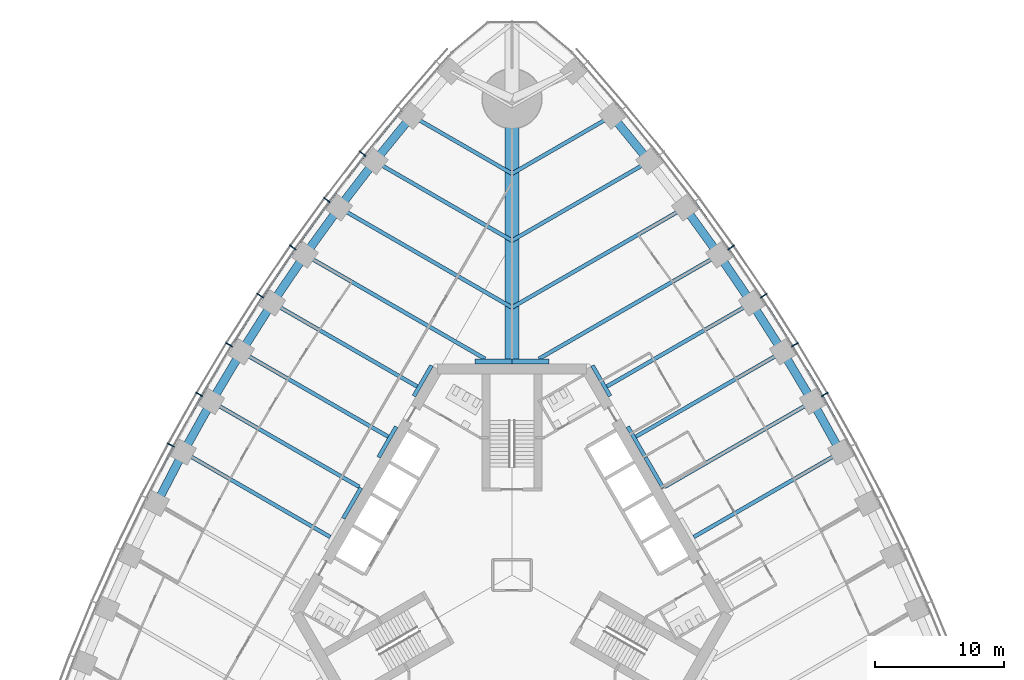
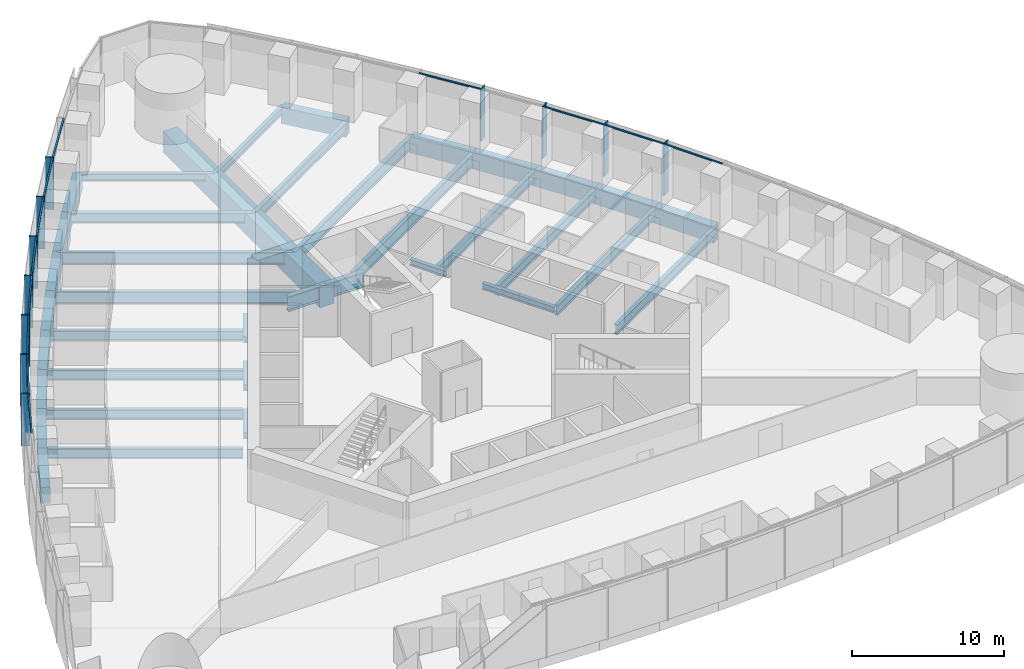
# One storey, part 4 of 18: 39 beams, 23 members, 2 elements without a shape of their own.
"""IFC4 building model written with IfcOpenShell, lengths in metres."""

from ifc_helpers import new_model, si_unit, direction, frame, origin, origin_2d, place, context, subcontext, project, spatial, rectangle, i_section, extrude, material, material_profile, profile_set, type_object, element, aggregate, save


model = new_model("IFC4")

# Units and contexts
model_context = context("Model", 3, precision=1e-05, world=origin(), true_north=direction((0.0, 1.0)))
body_context = subcontext(model_context, "Body", "Model", "MODEL_VIEW")
ifc_project = project(units=[si_unit("LENGTHUNIT", "METRE"), si_unit("AREAUNIT", "SQUARE_METRE"), si_unit("VOLUMEUNIT", "CUBIC_METRE"), si_unit("PLANEANGLEUNIT", "RADIAN"), si_unit("MASSUNIT", "GRAM", prefix="KILO")], contexts=[model_context])

# Site, building, storey
site_placement = place(None, origin())
site = spatial("IfcSite", under=ifc_project, at=site_placement, CompositionType="ELEMENT")
building_placement = place(site_placement, origin())
building = spatial("IfcBuilding", under=site, at=building_placement, Name="Trefoil Bronze Tower", CompositionType="ELEMENT")
storey_placement = place(building_placement, frame((0.0, 0.0, 54.300048828125)))
storey = spatial("IfcBuildingStorey", under=building, at=storey_placement, Name="L12", CompositionType="ELEMENT", Elevation=54.300048828125)

# Curtain wall, members
ifc_material_1 = material(Name="Tinted solar-control glass", Category="glass")
curtain_wall_type = type_object("IfcCurtainWallType", Name="Bronze office curtain wall", PredefinedType="USERDEFINED", material=ifc_material_1)
curtain_wall_1_placement = place(storey_placement, origin())
curtain_wall_1 = element("IfcCurtainWall", 1, at=curtain_wall_1_placement, inside=storey, type_object=curtain_wall_type, Name="CW-A L12 F2", ObjectType="CURTAIN WALL", PredefinedType="USERDEFINED")
ifc_material_2 = material(Name="Bronze-finish aluminium", Category="aluminium")
ifc_material_profile_1 = material_profile(ifc_material_2, rectangle(XDim=0.60009765625, YDim=0.080078125, at=origin_2d()), Name="CW-A mullion")
ifc_profile_set_1 = profile_set([ifc_material_profile_1], Name="Bronze-finish aluminium")
member_type_1 = type_object("IfcMemberType", Name="Bronze office curtain wall mullion", PredefinedType="MULLION", material=ifc_profile_set_1)
member_1_placement = place(storey_placement, frame((24.291015625, 14.0244140625, 0.0), z_axis=(0.0, 0.0, 1.0), x_axis=(-0.866025403784, -0.5, 0.0)))
member_1 = element("IfcMember", 2, at=member_1_placement, type_object=member_type_1, Name="CW-A L12 F2 mullion 9", PredefinedType="MULLION", context=body_context, shape_type="SweptSolid", body=[
    extrude(rectangle(XDim=0.60009765625, YDim=0.080078125, at=origin_2d()), origin(), (0.0, 0.0, 1.0), 4.179931640625),
])
member_2_placement = place(storey_placement, frame((21.97998046875, 17.896240234375, 0.0), z_axis=(0.0, 0.0, 1.0), x_axis=(-0.851149783004, -0.524922896141, 0.0)))
member_2 = element("IfcMember", 3, at=member_2_placement, type_object=member_type_1, Name="CW-A L12 F2 mullion 10", PredefinedType="MULLION", context=body_context, shape_type="SweptSolid", body=[
    extrude(rectangle(XDim=0.60009765625, YDim=0.080078125, at=origin_2d()), origin(), (0.0, 0.0, 1.0), 4.179931640625),
])
member_3_placement = place(storey_placement, frame((19.555419921875, 21.70263671875, 0.0), z_axis=(0.0, 0.0, 1.0), x_axis=(-0.835543651684, -0.549424067665, 0.0)))
member_3 = element("IfcMember", 4, at=member_3_placement, type_object=member_type_1, Name="CW-A L12 F2 mullion 11", PredefinedType="MULLION", context=body_context, shape_type="SweptSolid", body=[
    extrude(rectangle(XDim=0.60009765625, YDim=0.080078125, at=origin_2d()), origin(), (0.0, 0.0, 1.0), 4.179931640625),
])
member_4_placement = place(storey_placement, frame((17.01708984375, 25.443359375, 0.0), z_axis=(0.0, 0.0, 1.0), x_axis=(-0.819204207116, -0.573501932903, 0.0)))
member_4 = element("IfcMember", 5, at=member_4_placement, type_object=member_type_1, Name="CW-A L12 F2 mullion 12", PredefinedType="MULLION", context=body_context, shape_type="SweptSolid", body=[
    extrude(rectangle(XDim=0.60009765625, YDim=0.080078125, at=origin_2d()), origin(), (0.0, 0.0, 1.0), 4.179931640625),
])

curtain_wall_2_placement = place(storey_placement, origin())
curtain_wall_2 = element("IfcCurtainWall", 6, at=curtain_wall_2_placement, inside=storey, type_object=curtain_wall_type, Name="CW-A L12 F3", ObjectType="CURTAIN WALL", PredefinedType="USERDEFINED")
member_5_placement = place(storey_placement, frame((-11.595458984375, 32.7255859375, 0.0), z_axis=(0.0, 0.0, 1.0), x_axis=(0.784304615744, -0.620375910011, 0.0)))
member_5 = element("IfcMember", 7, at=member_5_placement, type_object=member_type_1, Name="CW-A L12 F3 mullion 4", PredefinedType="MULLION", context=body_context, shape_type="SweptSolid", body=[
    extrude(rectangle(XDim=0.60009765625, YDim=0.080078125, at=origin_2d()), origin(), (0.0, 0.0, 1.0), 4.179931640625),
])
member_6_placement = place(storey_placement, frame((-14.364013671875, 29.117919921875, 0.0), z_axis=(0.0, 0.0, 1.0), x_axis=(0.802126748469, -0.59715381552, 0.0)))
member_6 = element("IfcMember", 8, at=member_6_placement, type_object=member_type_1, Name="CW-A L12 F3 mullion 5", PredefinedType="MULLION", context=body_context, shape_type="SweptSolid", body=[
    extrude(rectangle(XDim=0.60009765625, YDim=0.080078125, at=origin_2d()), origin(), (0.0, 0.0, 1.0), 4.179931640625),
])
member_7_placement = place(storey_placement, frame((-17.01708984375, 25.443359375, 0.0), z_axis=(0.0, 0.0, 1.0), x_axis=(0.819204207116, -0.573501932903, 0.0)))
member_7 = element("IfcMember", 9, at=member_7_placement, type_object=member_type_1, Name="CW-A L12 F3 mullion 6", PredefinedType="MULLION", context=body_context, shape_type="SweptSolid", body=[
    extrude(rectangle(XDim=0.60009765625, YDim=0.080078125, at=origin_2d()), origin(), (0.0, 0.0, 1.0), 4.179931640625),
])
member_8_placement = place(storey_placement, frame((-19.555419921875, 21.70263671875, 0.0), z_axis=(0.0, 0.0, 1.0), x_axis=(0.835543651684, -0.549424067665, 0.0)))
member_8 = element("IfcMember", 10, at=member_8_placement, type_object=member_type_1, Name="CW-A L12 F3 mullion 7", PredefinedType="MULLION", context=body_context, shape_type="SweptSolid", body=[
    extrude(rectangle(XDim=0.60009765625, YDim=0.080078125, at=origin_2d()), origin(), (0.0, 0.0, 1.0), 4.179931640625),
])
member_9_placement = place(storey_placement, frame((-21.97998046875, 17.896240234375, 0.0), z_axis=(0.0, 0.0, 1.0), x_axis=(0.851149783004, -0.524922896141, 0.0)))
member_9 = element("IfcMember", 11, at=member_9_placement, type_object=member_type_1, Name="CW-A L12 F3 mullion 8", PredefinedType="MULLION", context=body_context, shape_type="SweptSolid", body=[
    extrude(rectangle(XDim=0.60009765625, YDim=0.080078125, at=origin_2d()), origin(), (0.0, 0.0, 1.0), 4.179931640625),
])
member_10_placement = place(storey_placement, frame((-24.291015625, 14.0244140625, 0.0), z_axis=(0.0, 0.0, 1.0), x_axis=(0.866025403784, -0.5, 0.0)))
member_10 = element("IfcMember", 12, at=member_10_placement, type_object=member_type_1, Name="CW-A L12 F3 mullion 9", PredefinedType="MULLION", context=body_context, shape_type="SweptSolid", body=[
    extrude(rectangle(XDim=0.60009765625, YDim=0.080078125, at=origin_2d()), origin(), (0.0, 0.0, 1.0), 4.179931640625),
])
member_11_placement = place(storey_placement, frame((-26.488525390625, 10.0869140625, 0.0), z_axis=(0.0, 0.0, 1.0), x_axis=(0.880171454588, -0.474655886437, 0.0)))
member_11 = element("IfcMember", 13, at=member_11_placement, type_object=member_type_1, Name="CW-A L12 F3 mullion 10", PredefinedType="MULLION", context=body_context, shape_type="SweptSolid", body=[
    extrude(rectangle(XDim=0.60009765625, YDim=0.080078125, at=origin_2d()), origin(), (0.0, 0.0, 1.0), 4.179931640625),
])

# Member
ifc_material_3 = material(Name="Bronze-finish aluminium", Category="aluminium")
ifc_material_profile_2 = material_profile(ifc_material_3, rectangle(XDim=0.1201171875, YDim=0.10009765625, at=origin_2d()), Name="CW-A transom")
ifc_profile_set_2 = profile_set([ifc_material_profile_2], Name="Bronze-finish aluminium")
member_type_2 = type_object("IfcMemberType", Name="Bronze office curtain wall transom", PredefinedType="USERDEFINED", material=ifc_profile_set_2)
member_12_placement = place(storey_placement, frame((26.29248046875, 10.0283203125, 4.1298828125), z_axis=(-0.487400435348, 0.873178570295, 0.0), x_axis=(-0.873178570295, -0.487400435348, 0.0)))
member_12 = element("IfcMember", 14, at=member_12_placement, type_object=member_type_2, Name="CW-A L12 F2 transom 8", ObjectType="TRANSOM", PredefinedType="USERDEFINED", context=body_context, shape_type="SweptSolid", body=[
    extrude(rectangle(XDim=0.1201171875, YDim=0.10009765625, at=origin_2d()), origin(), (0.0, 0.0, 1.0), 4.42041015625),
])

member_13_placement = place(storey_placement, frame((24.096435546875, 13.9599609375, 4.1298828125), z_axis=(-0.512536988879, 0.858665147209, 0.0), x_axis=(-0.858665147209, -0.512536988879, 0.0)))
member_13 = element("IfcMember", 15, at=member_13_placement, type_object=member_type_2, Name="CW-A L12 F2 transom 9", ObjectType="TRANSOM", PredefinedType="USERDEFINED", context=body_context, shape_type="SweptSolid", body=[
    extrude(rectangle(XDim=0.1201171875, YDim=0.10009765625, at=origin_2d()), origin(), (0.0, 0.0, 1.0), 4.42041015625),
])

member_14_placement = place(storey_placement, frame((21.787353515625, 17.826171875, 4.1298828125), z_axis=(-0.537196807268, 0.843456928515, 0.0), x_axis=(-0.843456928515, -0.537196807268, 0.0)))
member_14 = element("IfcMember", 16, at=member_14_placement, type_object=member_type_2, Name="CW-A L12 F2 transom 10", ObjectType="TRANSOM", PredefinedType="USERDEFINED", context=body_context, shape_type="SweptSolid", body=[
    extrude(rectangle(XDim=0.1201171875, YDim=0.10009765625, at=origin_2d()), origin(), (0.0, 0.0, 1.0), 4.42431640625),
])

member_15_placement = place(storey_placement, frame((16.828857421875, 25.3623046875, 4.1298828125), z_axis=(-0.585378207433, 0.81076035563, 0.0), x_axis=(-0.81076035563, -0.585378207433, 0.0)))
member_15 = element("IfcMember", 17, at=member_15_placement, type_object=member_type_2, Name="CW-A L12 F2 transom 12", ObjectType="TRANSOM", PredefinedType="USERDEFINED", context=body_context, shape_type="SweptSolid", body=[
    extrude(rectangle(XDim=0.1201171875, YDim=0.10009765625, at=origin_2d()), origin(), (0.0, 0.0, 1.0), 4.443359375),
])

aggregate(curtain_wall_1, [member_1, member_2, member_3, member_4, member_12, member_13, member_14, member_15])

member_16_placement = place(storey_placement, frame((-8.582763671875, 36.10498046875, 4.1298828125), z_axis=(-0.631835540201, -0.775102477185, 0.0), x_axis=(0.775102477185, -0.631835540201, 0.0)))
member_16 = element("IfcMember", 18, at=member_16_placement, type_object=member_type_2, Name="CW-A L12 F3 transom 3", ObjectType="TRANSOM", PredefinedType="USERDEFINED", context=body_context, shape_type="SweptSolid", body=[
    extrude(rectangle(XDim=0.1201171875, YDim=0.10009765625, at=origin_2d()), origin(), (0.0, 0.0, 1.0), 4.478271484375),
])

member_17_placement = place(storey_placement, frame((-11.4638671875, 32.568603515625, 4.1298828125), z_axis=(-0.608829203216, -0.793301330713, 0.0), x_axis=(0.793301330713, -0.608829203216, 0.0)))
member_17 = element("IfcMember", 19, at=member_17_placement, type_object=member_type_2, Name="CW-A L12 F3 transom 4", ObjectType="TRANSOM", PredefinedType="USERDEFINED", context=body_context, shape_type="SweptSolid", body=[
    extrude(rectangle(XDim=0.1201171875, YDim=0.10009765625, at=origin_2d()), origin(), (0.0, 0.0, 1.0), 4.458740234375),
])

member_18_placement = place(storey_placement, frame((-14.227783203125, 28.96484375, 4.1298828125), z_axis=(-0.585378207433, -0.81076035563, 0.0), x_axis=(0.81076035563, -0.585378207433, 0.0)))
member_18 = element("IfcMember", 20, at=member_18_placement, type_object=member_type_2, Name="CW-A L12 F3 transom 5", ObjectType="TRANSOM", PredefinedType="USERDEFINED", context=body_context, shape_type="SweptSolid", body=[
    extrude(rectangle(XDim=0.1201171875, YDim=0.10009765625, at=origin_2d()), origin(), (0.0, 0.0, 1.0), 4.443359375),
])

member_19_placement = place(storey_placement, frame((-16.87646484375, 25.29443359375, 4.1298828125), z_axis=(-0.561508153923, -0.827471203775, 0.0), x_axis=(0.827471203775, -0.561508153923, 0.0)))
member_19 = element("IfcMember", 21, at=member_19_placement, type_object=member_type_2, Name="CW-A L12 F3 transom 6", ObjectType="TRANSOM", PredefinedType="USERDEFINED", context=body_context, shape_type="SweptSolid", body=[
    extrude(rectangle(XDim=0.1201171875, YDim=0.10009765625, at=origin_2d()), origin(), (0.0, 0.0, 1.0), 4.431884765625),
])

member_20_placement = place(storey_placement, frame((-19.41064453125, 21.557861328125, 4.1298828125), z_axis=(-0.537196807268, -0.843456928515, 0.0), x_axis=(0.843456928515, -0.537196807268, 0.0)))
member_20 = element("IfcMember", 22, at=member_20_placement, type_object=member_type_2, Name="CW-A L12 F3 transom 7", ObjectType="TRANSOM", PredefinedType="USERDEFINED", context=body_context, shape_type="SweptSolid", body=[
    extrude(rectangle(XDim=0.1201171875, YDim=0.10009765625, at=origin_2d()), origin(), (0.0, 0.0, 1.0), 4.42431640625),
])

member_21_placement = place(storey_placement, frame((-21.830810546875, 17.755615234375, 4.1298828125), z_axis=(-0.512536988879, -0.858665147209, 0.0), x_axis=(0.858665147209, -0.512536988879, 0.0)))
member_21 = element("IfcMember", 23, at=member_21_placement, type_object=member_type_2, Name="CW-A L12 F3 transom 8", ObjectType="TRANSOM", PredefinedType="USERDEFINED", context=body_context, shape_type="SweptSolid", body=[
    extrude(rectangle(XDim=0.1201171875, YDim=0.10009765625, at=origin_2d()), origin(), (0.0, 0.0, 1.0), 4.42041015625),
])

member_22_placement = place(storey_placement, frame((-24.137939453125, 13.88818359375, 4.1298828125), z_axis=(-0.487400435348, -0.873178570295, 0.0), x_axis=(0.873178570295, -0.487400435348, 0.0)))
member_22 = element("IfcMember", 24, at=member_22_placement, type_object=member_type_2, Name="CW-A L12 F3 transom 9", ObjectType="TRANSOM", PredefinedType="USERDEFINED", context=body_context, shape_type="SweptSolid", body=[
    extrude(rectangle(XDim=0.1201171875, YDim=0.10009765625, at=origin_2d()), origin(), (0.0, 0.0, 1.0), 4.42041015625),
])

member_23_placement = place(storey_placement, frame((-26.331787109375, 9.955322265625, 4.1298828125), z_axis=(-0.461809621225, -0.886979071762, 0.0), x_axis=(0.886979071762, -0.461809621225, 0.0)))
member_23 = element("IfcMember", 25, at=member_23_placement, type_object=member_type_2, Name="CW-A L12 F3 transom 10", ObjectType="TRANSOM", PredefinedType="USERDEFINED", context=body_context, shape_type="SweptSolid", body=[
    extrude(rectangle(XDim=0.1201171875, YDim=0.10009765625, at=origin_2d()), origin(), (0.0, 0.0, 1.0), 4.42431640625),
])

aggregate(curtain_wall_2, [member_5, member_6, member_7, member_8, member_9, member_10, member_11, member_16, member_17, member_18, member_19, member_20, member_21, member_22, member_23])

# Beams
ifc_material_4 = material(Name="Steel C355", Category="steel")
ifc_material_profile_3 = material_profile(ifc_material_4, i_section(OverallWidth=0.300048828125, OverallDepth=0.5, WebThickness=0.014404296875, FlangeThickness=0.028076171875, FilletRadius=0.027099609375, at=origin_2d()), Name="HEB 500")
ifc_profile_set_3 = profile_set([ifc_material_profile_3], Name="Steel C355")
beam_type_1 = type_object("IfcBeamType", Name="Core seat beam HEB 500", PredefinedType="BEAM", material=ifc_profile_set_3)
for number, where, z_axis, x_axis, name in (
    (26, (11.734619140625, 6.77490234375, -0.449951171875), (-0.499969057507, 0.866043267704, 0.0), (-0.866043267704, -0.499969057507, 0.0), "Core seat beam F2/+0 L12"),
    (27, (10.363525390625, 9.14990234375, -0.449951171875), (-0.500035825175, 0.866004719122, 0.0), (-0.866004719122, -0.500035825175, 0.0), "Core seat beam F2/+1 L12"),
    (28, (7.62109375, 13.89990234375, -0.449951171875), (-0.500035825175, 0.866004719122, 0.0), (-0.866004719122, -0.500035825175, 0.0), "Core seat beam F2/+2 L12"),
    (29, (-6.249755859375, 16.27490234375, -0.449951171875), (-0.500035825175, -0.866004719122, 0.0), (0.866004719122, -0.500035825175, 0.0), "Core seat beam F3/-2 L12"),
    (30, (-8.9921875, 11.52490234375, -0.449951171875), (-0.500035825175, -0.866004719122, 0.0), (0.866004719122, -0.500035825175, 0.0), "Core seat beam F3/-1 L12"),
    (31, (-11.734619140625, 6.77490234375, -0.449951171875), (-0.500035825175, -0.866004719122, 0.0), (0.866004719122, -0.500035825175, 0.0), "Core seat beam F3/+0 L12"),
):
    element("IfcBeam", number, at=place(storey_placement, frame(where, z_axis=z_axis, x_axis=x_axis)), inside=storey, type_object=beam_type_1, Name=name, PredefinedType="BEAM", context=body_context, shape_type="SweptSolid", body=[
        extrude(i_section(OverallWidth=0.300048828125, OverallDepth=0.5, WebThickness=0.014404296875, FlangeThickness=0.028076171875, FilletRadius=0.027099609375, at=origin_2d()), origin(), (0.0, 0.0, 1.0), 2.742431640625),
    ])
ifc_material_5 = material(Name="Steel C355", Category="steel")
ifc_material_profile_4 = material_profile(ifc_material_5, i_section(OverallWidth=0.39990234375, OverallDepth=1.199951171875, WebThickness=0.02001953125, FlangeThickness=0.0400390625, FilletRadius=0.010009765625, at=origin_2d()), Name="WPG 1200")
ifc_profile_set_4 = profile_set([ifc_material_profile_4], Name="Steel C355")
beam_type_2 = type_object("IfcBeamType", Name="Core seat beam WPG 1200", PredefinedType="BEAM", material=ifc_profile_set_4)
for number, where, z_axis, x_axis, name in (
    (32, (2.88671875, 16.60009765625, -0.800048828125), (-1.0, 0.0, 0.0), (0.0, -1.0, 0.0), "Core seat beam F2/+3 L12"),
    (33, (0.0, 16.60009765625, -0.800048828125), (-1.0, 0.0, 0.0), (0.0, -1.0, 0.0), "Core seat beam F3/-3 L12"),
):
    element("IfcBeam", number, at=place(storey_placement, frame(where, z_axis=z_axis, x_axis=x_axis)), inside=storey, type_object=beam_type_2, Name=name, PredefinedType="BEAM", context=body_context, shape_type="SweptSolid", body=[
        extrude(i_section(OverallWidth=0.39990234375, OverallDepth=1.199951171875, WebThickness=0.02001953125, FlangeThickness=0.0400390625, FilletRadius=0.010009765625, at=origin_2d()), origin(), (0.0, 0.0, 1.0), 2.88671875),
    ])
ifc_material_6 = material(Name="Concrete B80", Category="concrete")
ifc_material_profile_5 = material_profile(ifc_material_6, rectangle(XDim=1.10009765625, YDim=1.699951171875, at=origin_2d()), Name="RC 1100x1700")
ifc_profile_set_5 = profile_set([ifc_material_profile_5], Name="Concrete B80")
beam_type_3 = type_object("IfcBeamType", Name="Corner girder RC 1100x1700", PredefinedType="BEAM", material=ifc_profile_set_5)
beam_1_placement = place(storey_placement, frame((0.0, 16.39990234375, -1.050048828125), z_axis=(0.0, 1.0, 0.0), x_axis=(-1.0, 0.0, 0.0)))
element("IfcBeam", 34, at=beam_1_placement, inside=storey, type_object=beam_type_3, Name="Corner girder K2 L12", PredefinedType="BEAM", context=body_context, shape_type="SweptSolid", body=[
    extrude(rectangle(XDim=1.10009765625, YDim=1.699951171875, at=origin_2d()), origin(), (0.0, 0.0, 1.0), 20.60009765625),
])
ifc_material_7 = material(Name="Steel C355", Category="steel")
ifc_material_profile_6 = material_profile(ifc_material_7, i_section(OverallWidth=0.300048828125, OverallDepth=0.590087890625, WebThickness=0.012939453125, FlangeThickness=0.02490234375, FilletRadius=0.027099609375, at=origin_2d()), Name="HEA 600")
ifc_profile_set_6 = profile_set([ifc_material_profile_6], Name="Steel C355")
beam_type_4 = type_object("IfcBeamType", Name="Floor beam HEA 600", PredefinedType="BEAM", material=ifc_profile_set_6)
for number, where, z_axis, x_axis, name in (
    (35, (7.7763671875, 35.666748046875, -0.4951171875), (-0.866022587327, -0.500004878216, 0.0), (0.500004878216, -0.866022587327, 0.0), "Floor beam F2/+6 L12"),
    (36, (-7.7763671875, 35.666748046875, -0.4951171875), (0.866022587327, -0.500004878216, 0.0), (0.500004878216, 0.866022587327, 0.0), "Floor beam F3/-6 L12"),
):
    element("IfcBeam", number, at=place(storey_placement, frame(where, z_axis=z_axis, x_axis=x_axis)), inside=storey, type_object=beam_type_4, Name=name, PredefinedType="BEAM", context=body_context, shape_type="SweptSolid", body=[
        extrude(i_section(OverallWidth=0.300048828125, OverallDepth=0.590087890625, WebThickness=0.012939453125, FlangeThickness=0.02490234375, FilletRadius=0.027099609375, at=origin_2d()), origin(), (0.0, 0.0, 1.0), 8.9794921875),
    ])
ifc_material_8 = material(Name="Steel C355", Category="steel")
ifc_material_profile_7 = material_profile(ifc_material_8, i_section(OverallWidth=0.300048828125, OverallDepth=1.0, WebThickness=0.01904296875, FlangeThickness=0.035888671875, FilletRadius=0.030029296875, at=origin_2d()), Name="HEB 1000")
ifc_profile_set_7 = profile_set([ifc_material_profile_7], Name="Steel C355")
beam_type_5 = type_object("IfcBeamType", Name="Floor beam HEB 1000", PredefinedType="BEAM", material=ifc_profile_set_7)
for number, where, z_axis, x_axis, name in (
    (37, (13.42578125, 28.5361328125, -0.699951171875), (-0.866022989816, -0.500004181093, 0.0), (0.500004181093, -0.866022989816, 0.0), "Floor beam F2/+4 L12"),
    (38, (-13.42578125, 28.5361328125, -0.699951171875), (0.866022989816, -0.500004181093, 0.0), (0.500004181093, 0.866022989816, 0.0), "Floor beam F3/-4 L12"),
):
    element("IfcBeam", number, at=place(storey_placement, frame(where, z_axis=z_axis, x_axis=x_axis)), inside=storey, type_object=beam_type_5, Name=name, PredefinedType="BEAM", context=body_context, shape_type="SweptSolid", body=[
        extrude(i_section(OverallWidth=0.300048828125, OverallDepth=1.0, WebThickness=0.01904296875, FlangeThickness=0.035888671875, FilletRadius=0.030029296875, at=origin_2d()), origin(), (0.0, 0.0, 1.0), 15.502685546875),
    ])
ifc_material_9 = material(Name="Steel C355", Category="steel")
ifc_material_profile_8 = material_profile(ifc_material_9, i_section(OverallWidth=0.300048828125, OverallDepth=0.800048828125, WebThickness=0.017578125, FlangeThickness=0.032958984375, FilletRadius=0.030029296875, at=origin_2d()), Name="HEB 800")
ifc_profile_set_8 = profile_set([ifc_material_profile_8], Name="Steel C355")
beam_type_6 = type_object("IfcBeamType", Name="Floor beam HEB 800", PredefinedType="BEAM", material=ifc_profile_set_8)
beam_2_placement = place(storey_placement, frame((25.531494140625, 9.54443359375, -0.60009765625), z_axis=(-0.866027071639, -0.499997111179, 0.0), x_axis=(0.499997111179, -0.866027071639, 0.0)))
element("IfcBeam", 39, at=beam_2_placement, inside=storey, type_object=beam_type_6, Name="Floor beam F2/-1 L12", PredefinedType="BEAM", context=body_context, shape_type="SweptSolid", body=[
    extrude(i_section(OverallWidth=0.300048828125, OverallDepth=0.800048828125, WebThickness=0.017578125, FlangeThickness=0.032958984375, FilletRadius=0.030029296875, at=origin_2d()), origin(), (0.0, 0.0, 1.0), 13.18310546875),
])
beam_3_placement = place(storey_placement, frame((23.33837890625, 13.474365234375, -0.60009765625), z_axis=(-0.866031233401, -0.499989902672, 0.0), x_axis=(0.499989902672, -0.866031233401, 0.0)))
element("IfcBeam", 40, at=beam_3_placement, inside=storey, type_object=beam_type_6, Name="Floor beam F2/+0 L12", PredefinedType="BEAM", context=body_context, shape_type="SweptSolid", body=[
    extrude(i_section(OverallWidth=0.300048828125, OverallDepth=0.800048828125, WebThickness=0.017578125, FlangeThickness=0.032958984375, FilletRadius=0.030029296875, at=origin_2d()), origin(), (0.0, 0.0, 1.0), 13.248779296875),
])
beam_4_placement = place(storey_placement, frame((21.031494140625, 17.338623046875, -0.60009765625), z_axis=(-0.866027071639, -0.499997111179, 0.0), x_axis=(0.499997111179, -0.866027071639, 0.0)))
element("IfcBeam", 41, at=beam_4_placement, inside=storey, type_object=beam_type_6, Name="Floor beam F2/+1 L12", PredefinedType="BEAM", context=body_context, shape_type="SweptSolid", body=[
    extrude(i_section(OverallWidth=0.300048828125, OverallDepth=0.800048828125, WebThickness=0.017578125, FlangeThickness=0.032958984375, FilletRadius=0.030029296875, at=origin_2d()), origin(), (0.0, 0.0, 1.0), 13.18310546875),
])
beam_5_placement = place(storey_placement, frame((18.61083984375, 21.13720703125, -0.60009765625), z_axis=(-0.866030615021, -0.499990973765, 0.0), x_axis=(0.499990973765, -0.866030615021, 0.0)))
element("IfcBeam", 42, at=beam_5_placement, inside=storey, type_object=beam_type_6, Name="Floor beam F2/+2 L12", PredefinedType="BEAM", context=body_context, shape_type="SweptSolid", body=[
    extrude(i_section(OverallWidth=0.300048828125, OverallDepth=0.800048828125, WebThickness=0.017578125, FlangeThickness=0.032958984375, FilletRadius=0.030029296875, at=origin_2d()), origin(), (0.0, 0.0, 1.0), 12.986083984375),
])
for number, where, z_axis, x_axis, name in (
    (43, (10.659912109375, 32.13525390625, -0.60009765625), (-0.866024070878, -0.500002308654, 0.0), (0.500002308654, -0.866024070878, 0.0), "Floor beam F2/+5 L12"),
    (44, (-10.659912109375, 32.13525390625, -0.60009765625), (0.866024070878, -0.500002308654, 0.0), (0.500002308654, 0.866024070878, 0.0), "Floor beam F3/-5 L12"),
):
    element("IfcBeam", number, at=place(storey_placement, frame(where, z_axis=z_axis, x_axis=x_axis)), inside=storey, type_object=beam_type_6, Name=name, PredefinedType="BEAM", context=body_context, shape_type="SweptSolid", body=[
        extrude(i_section(OverallWidth=0.300048828125, OverallDepth=0.800048828125, WebThickness=0.017578125, FlangeThickness=0.032958984375, FilletRadius=0.030029296875, at=origin_2d()), origin(), (0.0, 0.0, 1.0), 12.30908203125),
    ])
beam_6_placement = place(storey_placement, frame((-18.61083984375, 21.13720703125, -0.60009765625), z_axis=(0.866030615021, -0.499990973765, 0.0), x_axis=(0.499990973765, 0.866030615021, 0.0)))
element("IfcBeam", 45, at=beam_6_placement, inside=storey, type_object=beam_type_6, Name="Floor beam F3/-2 L12", PredefinedType="BEAM", context=body_context, shape_type="SweptSolid", body=[
    extrude(i_section(OverallWidth=0.300048828125, OverallDepth=0.800048828125, WebThickness=0.017578125, FlangeThickness=0.032958984375, FilletRadius=0.030029296875, at=origin_2d()), origin(), (0.0, 0.0, 1.0), 12.986083984375),
])
beam_7_placement = place(storey_placement, frame((-21.031494140625, 17.338623046875, -0.60009765625), z_axis=(0.866027071639, -0.499997111179, 0.0), x_axis=(0.499997111179, 0.866027071639, 0.0)))
element("IfcBeam", 46, at=beam_7_placement, inside=storey, type_object=beam_type_6, Name="Floor beam F3/-1 L12", PredefinedType="BEAM", context=body_context, shape_type="SweptSolid", body=[
    extrude(i_section(OverallWidth=0.300048828125, OverallDepth=0.800048828125, WebThickness=0.017578125, FlangeThickness=0.032958984375, FilletRadius=0.030029296875, at=origin_2d()), origin(), (0.0, 0.0, 1.0), 13.18310546875),
])
beam_8_placement = place(storey_placement, frame((-23.33837890625, 13.474365234375, -0.60009765625), z_axis=(0.866031233401, -0.499989902672, 0.0), x_axis=(0.499989902672, 0.866031233401, 0.0)))
element("IfcBeam", 47, at=beam_8_placement, inside=storey, type_object=beam_type_6, Name="Floor beam F3/+0 L12", PredefinedType="BEAM", context=body_context, shape_type="SweptSolid", body=[
    extrude(i_section(OverallWidth=0.300048828125, OverallDepth=0.800048828125, WebThickness=0.017578125, FlangeThickness=0.032958984375, FilletRadius=0.030029296875, at=origin_2d()), origin(), (0.0, 0.0, 1.0), 13.248779296875),
])
beam_9_placement = place(storey_placement, frame((-25.531494140625, 9.54443359375, -0.60009765625), z_axis=(0.866027071639, -0.499997111179, 0.0), x_axis=(0.499997111179, 0.866027071639, 0.0)))
element("IfcBeam", 48, at=beam_9_placement, inside=storey, type_object=beam_type_6, Name="Floor beam F3/+1 L12", PredefinedType="BEAM", context=body_context, shape_type="SweptSolid", body=[
    extrude(i_section(OverallWidth=0.300048828125, OverallDepth=0.800048828125, WebThickness=0.017578125, FlangeThickness=0.032958984375, FilletRadius=0.030029296875, at=origin_2d()), origin(), (0.0, 0.0, 1.0), 13.18310546875),
])
ifc_material_10 = material(Name="Steel C355", Category="steel")
ifc_material_profile_9 = material_profile(ifc_material_10, i_section(OverallWidth=0.302001953125, OverallDepth=1.008056640625, WebThickness=0.02099609375, FlangeThickness=0.0400390625, FilletRadius=0.030029296875, at=origin_2d()), Name="HEM 1000")
ifc_profile_set_9 = profile_set([ifc_material_profile_9], Name="Steel C355")
beam_type_7 = type_object("IfcBeamType", Name="Floor beam HEM 1000", PredefinedType="BEAM", material=ifc_profile_set_9)
for number, where, z_axis, x_axis, name in (
    (49, (16.075927734375, 24.869873046875, -0.7041015625), (-0.866028401131, -0.499994808408, 0.0), (0.499994808408, -0.866028401131, 0.0), "Floor beam F2/+3 L12"),
    (50, (-16.075927734375, 24.869873046875, -0.7041015625), (0.866028401131, -0.499994808408, 0.0), (0.499994808408, 0.866028401131, 0.0), "Floor beam F3/-3 L12"),
):
    element("IfcBeam", number, at=place(storey_placement, frame(where, z_axis=z_axis, x_axis=x_axis)), inside=storey, type_object=beam_type_7, Name=name, PredefinedType="BEAM", context=body_context, shape_type="SweptSolid", body=[
        extrude(i_section(OverallWidth=0.302001953125, OverallDepth=1.008056640625, WebThickness=0.02099609375, FlangeThickness=0.0400390625, FilletRadius=0.030029296875, at=origin_2d()), origin(), (0.0, 0.0, 1.0), 16.139892578125),
    ])
ifc_material_11 = material(Name="Concrete B80", Category="concrete")
ifc_material_profile_10 = material_profile(ifc_material_11, rectangle(XDim=0.64990234375, YDim=1.300048828125, at=origin_2d()), Name="RC 650x1300")
ifc_profile_set_10 = profile_set([ifc_material_profile_10], Name="Concrete B80")
beam_type_8 = type_object("IfcBeamType", Name="Spandrel beam RC 650x1300", PredefinedType="SPANDREL", material=ifc_profile_set_10)
for number, where, z_axis, x_axis, name in (
    (51, (25.531494140625, 9.54443359375, -0.85009765625), (-0.487309404804, 0.873229376504, 0.0), (-0.873229376504, -0.487309404804, 0.0), "Spandrel F2.8 L12"),
    (52, (23.33837890625, 13.474365234375, -0.85009765625), (-0.512587831591, 0.858634797166, 0.0), (-0.858634797166, -0.512587831591, 0.0), "Spandrel F2.9 L12"),
):
    element("IfcBeam", number, at=place(storey_placement, frame(where, z_axis=z_axis, x_axis=x_axis)), inside=storey, type_object=beam_type_8, Name=name, PredefinedType="SPANDREL", context=body_context, shape_type="SweptSolid", body=[
        extrude(rectangle(XDim=0.64990234375, YDim=1.300048828125, at=origin_2d()), origin(), (0.0, 0.0, 1.0), 4.50048828125),
    ])
beam_10_placement = place(storey_placement, frame((21.031494140625, 17.338623046875, -0.85009765625), z_axis=(-0.537408473305, 0.843322081307, 0.0), x_axis=(-0.843322081307, -0.537408473305, 0.0)))
element("IfcBeam", 53, at=beam_10_placement, inside=storey, type_object=beam_type_8, Name="Spandrel F2.10 L12", PredefinedType="SPANDREL", context=body_context, shape_type="SweptSolid", body=[
    extrude(rectangle(XDim=0.64990234375, YDim=1.300048828125, at=origin_2d()), origin(), (0.0, 0.0, 1.0), 4.50439453125),
])
beam_11_placement = place(storey_placement, frame((18.61083984375, 21.13720703125, -0.85009765625), z_axis=(-0.561809680291, 0.827266512758, 0.0), x_axis=(-0.827266512758, -0.561809680291, 0.0)))
element("IfcBeam", 54, at=beam_11_placement, inside=storey, type_object=beam_type_8, Name="Spandrel F2.11 L12", PredefinedType="SPANDREL", context=body_context, shape_type="SweptSolid", body=[
    extrude(rectangle(XDim=0.64990234375, YDim=1.300048828125, at=origin_2d()), origin(), (0.0, 0.0, 1.0), 4.511962890625),
])
beam_12_placement = place(storey_placement, frame((16.075927734375, 24.869873046875, -0.85009765625), z_axis=(-0.585823508301, 0.810438657223, 0.0), x_axis=(-0.810438657223, -0.585823508301, 0.0)))
element("IfcBeam", 55, at=beam_12_placement, inside=storey, type_object=beam_type_8, Name="Spandrel F2.12 L12", PredefinedType="SPANDREL", context=body_context, shape_type="SweptSolid", body=[
    extrude(rectangle(XDim=0.64990234375, YDim=1.300048828125, at=origin_2d()), origin(), (0.0, 0.0, 1.0), 4.523681640625),
])
for number, where, z_axis, x_axis, name in (
    (56, (10.659912109375, 32.13525390625, -0.85009765625), (-0.632467643363, 0.774586780225, 0.0), (-0.774586780225, -0.632467643363, 0.0), "Spandrel F2.14 L12"),
    (57, (-7.7763671875, 35.666748046875, -0.85009765625), (-0.632467643363, -0.774586780225, 0.0), (0.774586780225, -0.632467643363, 0.0), "Spandrel F3.3 L12"),
):
    element("IfcBeam", number, at=place(storey_placement, frame(where, z_axis=z_axis, x_axis=x_axis)), inside=storey, type_object=beam_type_8, Name=name, PredefinedType="SPANDREL", context=body_context, shape_type="SweptSolid", body=[
        extrude(rectangle(XDim=0.64990234375, YDim=1.300048828125, at=origin_2d()), origin(), (0.0, 0.0, 1.0), 4.55908203125),
    ])
beam_13_placement = place(storey_placement, frame((-10.659912109375, 32.13525390625, -0.85009765625), z_axis=(-0.609338992146, -0.792909826305, 0.0), x_axis=(0.792909826305, -0.609338992146, 0.0)))
element("IfcBeam", 58, at=beam_13_placement, inside=storey, type_object=beam_type_8, Name="Spandrel F3.4 L12", PredefinedType="SPANDREL", context=body_context, shape_type="SweptSolid", body=[
    extrude(rectangle(XDim=0.64990234375, YDim=1.300048828125, at=origin_2d()), origin(), (0.0, 0.0, 1.0), 4.5390625),
])
beam_14_placement = place(storey_placement, frame((-13.42578125, 28.5361328125, -0.85009765625), z_axis=(-0.585823508301, -0.810438657223, 0.0), x_axis=(0.810438657223, -0.585823508301, 0.0)))
element("IfcBeam", 59, at=beam_14_placement, inside=storey, type_object=beam_type_8, Name="Spandrel F3.5 L12", PredefinedType="SPANDREL", context=body_context, shape_type="SweptSolid", body=[
    extrude(rectangle(XDim=0.64990234375, YDim=1.300048828125, at=origin_2d()), origin(), (0.0, 0.0, 1.0), 4.523681640625),
])
beam_15_placement = place(storey_placement, frame((-16.075927734375, 24.869873046875, -0.85009765625), z_axis=(-0.561809680291, -0.827266512758, 0.0), x_axis=(0.827266512758, -0.561809680291, 0.0)))
element("IfcBeam", 60, at=beam_15_placement, inside=storey, type_object=beam_type_8, Name="Spandrel F3.6 L12", PredefinedType="SPANDREL", context=body_context, shape_type="SweptSolid", body=[
    extrude(rectangle(XDim=0.64990234375, YDim=1.300048828125, at=origin_2d()), origin(), (0.0, 0.0, 1.0), 4.511962890625),
])
beam_16_placement = place(storey_placement, frame((-18.61083984375, 21.13720703125, -0.85009765625), z_axis=(-0.537408473305, -0.843322081307, 0.0), x_axis=(0.843322081307, -0.537408473305, 0.0)))
element("IfcBeam", 61, at=beam_16_placement, inside=storey, type_object=beam_type_8, Name="Spandrel F3.7 L12", PredefinedType="SPANDREL", context=body_context, shape_type="SweptSolid", body=[
    extrude(rectangle(XDim=0.64990234375, YDim=1.300048828125, at=origin_2d()), origin(), (0.0, 0.0, 1.0), 4.50439453125),
])
for number, where, z_axis, x_axis, name in (
    (62, (-21.031494140625, 17.338623046875, -0.85009765625), (-0.512587831591, -0.858634797166, 0.0), (0.858634797166, -0.512587831591, 0.0), "Spandrel F3.8 L12"),
    (63, (-23.33837890625, 13.474365234375, -0.85009765625), (-0.487309404804, -0.873229376504, 0.0), (0.873229376504, -0.487309404804, 0.0), "Spandrel F3.9 L12"),
):
    element("IfcBeam", number, at=place(storey_placement, frame(where, z_axis=z_axis, x_axis=x_axis)), inside=storey, type_object=beam_type_8, Name=name, PredefinedType="SPANDREL", context=body_context, shape_type="SweptSolid", body=[
        extrude(rectangle(XDim=0.64990234375, YDim=1.300048828125, at=origin_2d()), origin(), (0.0, 0.0, 1.0), 4.50048828125),
    ])
beam_17_placement = place(storey_placement, frame((-25.531494140625, 9.54443359375, -0.85009765625), z_axis=(-0.461637716615, -0.887068553495, 0.0), x_axis=(0.887068553495, -0.461637716615, 0.0)))
element("IfcBeam", 64, at=beam_17_placement, inside=storey, type_object=beam_type_8, Name="Spandrel F3.10 L12", PredefinedType="SPANDREL", context=body_context, shape_type="SweptSolid", body=[
    extrude(rectangle(XDim=0.64990234375, YDim=1.300048828125, at=origin_2d()), origin(), (0.0, 0.0, 1.0), 4.50439453125),
])

save(model, "model.ifc")
